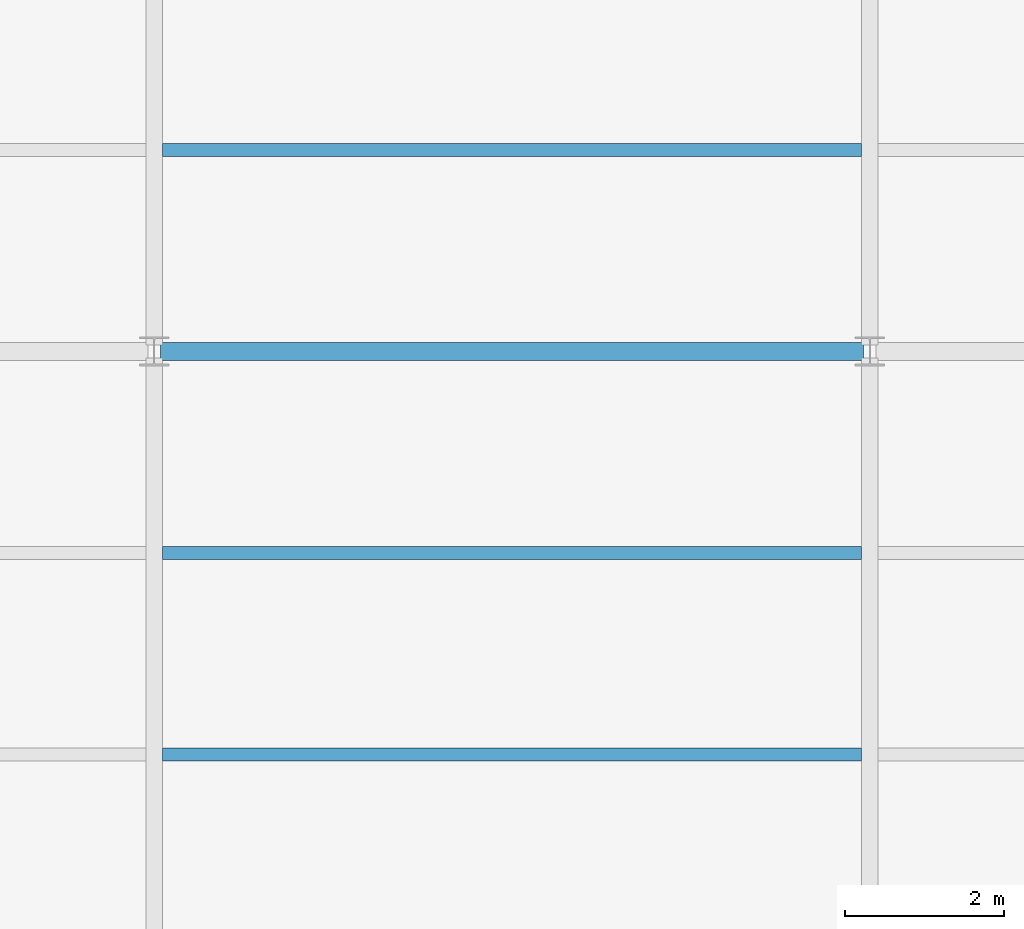
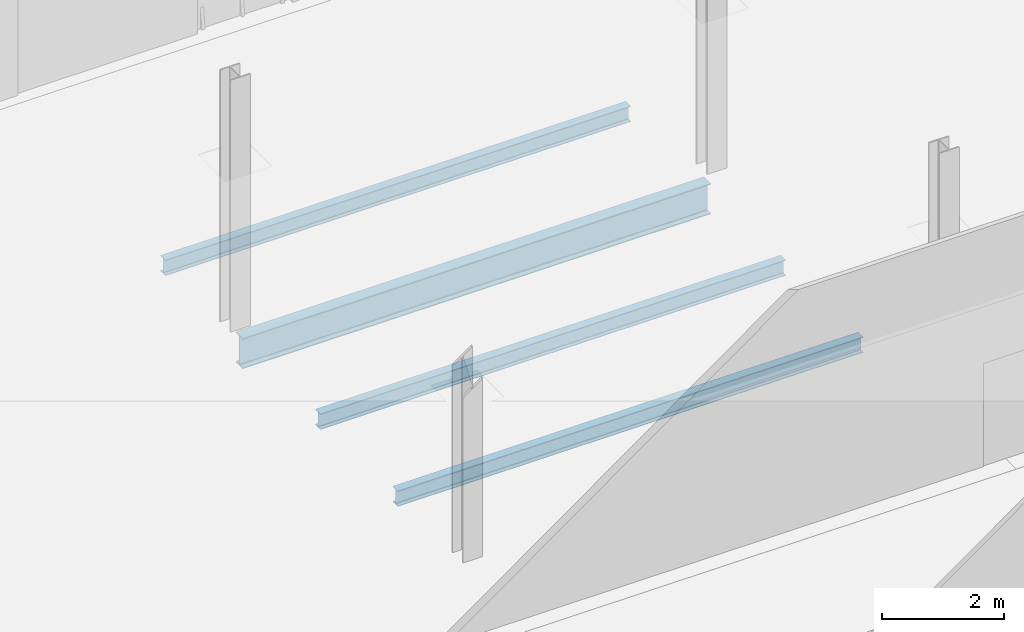
# One storey, part 43 of 161: 4 beams.
"""IFC4 building model written with IfcOpenShell, lengths in metres."""

import ifcopenshell
import ifcopenshell.guid

model = None  # the IFC model being written
_history = None  # IfcOwnerHistory: only IFC2X3 demands one
_inside = {}  # id of a spatial element -> (the spatial element, [elements in it])
_under = {}  # id of a project, library or spatial element -> (it, [spatial elements below it])
_declared = {}  # id of a project -> (the project, [libraries it declares])
_typed = {}  # id of a type object -> (the type object, [elements of that type])
_made_of = {}  # id of a material, layer set ... -> (it, [elements and type objects made of it])


def new_model(schema):
    """Start an empty IFC model of exactly this schema.

    Asked for "IFC4X3", IfcOpenShell would pick the latest addendum, in which some entities
    have other attributes; the version numbers below select the first issue.
    IFC2X3 requires an IfcOwnerHistory on every rooted entity: one is made here for all.
    """
    global model, _history
    if schema == "IFC4X3":
        model = ifcopenshell.file(schema_version=(4, 3, 0, 0))
    else:
        model = ifcopenshell.file(schema=schema)
    _inside.clear()
    _under.clear()
    _declared.clear()
    _typed.clear()
    _made_of.clear()
    _history = None
    if model.schema == "IFC2X3":
        org = make("IfcOrganization", Name="unknown")
        user = make(
            "IfcPersonAndOrganization",
            ThePerson=make("IfcPerson", FamilyName="unknown"),
            TheOrganization=org,
        )
        app = make(
            "IfcApplication",
            ApplicationDeveloper=org,
            Version="unknown",
            ApplicationFullName="unknown",
            ApplicationIdentifier="unknown",
        )
        _history = make(
            "IfcOwnerHistory",
            OwningUser=user,
            OwningApplication=app,
            ChangeAction="ADDED",
            CreationDate=0,
        )
    return model


def make(cls, **values):
    """One entity of the class cls with the attributes given. An attribute that is None is left unset."""
    return model.create_entity(
        cls, **{name: value for name, value in values.items() if value is not None}
    )


def rooted(cls, **values):
    """An entity with a GlobalId (a new one), such as an element, a storey or a relation."""
    return make(cls, GlobalId=ifcopenshell.guid.new(), OwnerHistory=_history, **values)


def si_unit(unit_type, name, prefix=None):
    """IfcSIUnit, for example si_unit("LENGTHUNIT", "METRE", prefix="MILLI")."""
    return make("IfcSIUnit", UnitType=unit_type, Prefix=prefix, Name=name)


def assignment(units):
    """IfcUnitAssignment: the units of a project."""
    return None if units is None else make("IfcUnitAssignment", Units=units)


def point(xyz):
    """IfcCartesianPoint."""
    return None if xyz is None else make("IfcCartesianPoint", Coordinates=xyz)


def direction(xyz):
    """IfcDirection."""
    return None if xyz is None else make("IfcDirection", DirectionRatios=xyz)


def frame(location, z_axis=None, x_axis=None):
    """IfcAxis2Placement3D, a coordinate frame: its origin and axes. An axis left out is left unset."""
    return make(
        "IfcAxis2Placement3D",
        Location=point(location),
        Axis=direction(z_axis),
        RefDirection=direction(x_axis),
    )


def frame_2d(location, x_axis=None):
    """IfcAxis2Placement2D, a coordinate frame in the plane: its origin and x axis."""
    return make(
        "IfcAxis2Placement2D", Location=point(location), RefDirection=direction(x_axis)
    )


def origin():
    """The frame at (0, 0, 0) with its axes left unset."""
    return frame((0.0, 0.0, 0.0))


def origin_2d():
    """The frame at (0, 0) in the plane with its x axis left unset."""
    return frame_2d((0.0, 0.0))


def place(relative_to, where):
    """IfcLocalPlacement: puts the frame where relative to a parent placement (None: the world)."""
    return make(
        "IfcLocalPlacement", PlacementRelTo=relative_to, RelativePlacement=where
    )


def context(
    kind, dimensions, precision=None, world=None, true_north=None, identifier=None
):
    """IfcGeometricRepresentationContext, for example the 3D "Model" context."""
    return make(
        "IfcGeometricRepresentationContext",
        ContextIdentifier=identifier,
        ContextType=kind,
        CoordinateSpaceDimension=dimensions,
        Precision=precision,
        WorldCoordinateSystem=world,
        TrueNorth=true_north,
    )


def subcontext(parent, identifier, kind, view, scale=None):
    """IfcGeometricRepresentationSubContext, for example "Body" below "Model"."""
    return make(
        "IfcGeometricRepresentationSubContext",
        ContextIdentifier=identifier,
        ContextType=kind,
        ParentContext=parent,
        TargetScale=scale,
        TargetView=view,
    )


def project(units=None, contexts=None):
    """IfcProject with its units and contexts."""
    return rooted(
        "IfcProject",
        Name="project",
        RepresentationContexts=contexts,
        UnitsInContext=assignment(units),
    )


def spatial(cls, under=None, at=None, **own):
    """A site, building, storey or space (cls), placed at a placement, below another one or the project."""
    s = rooted(cls, ObjectPlacement=at, **own)
    if under is not None:
        _under.setdefault(under.id(), (under, []))[1].append(s)
    return s


def profile(cls, at=None, kind="AREA", **sizes):
    """A parametric profile (cls). Its sizes go by their IFC names, for example OverallWidth=200.0."""
    return make(cls, ProfileType=kind, Position=at, **sizes)


def i_section(**sizes):
    """IfcIShapeProfileDef."""
    return profile("IfcIShapeProfileDef", **sizes)


def extrude(swept, where, along, depth):
    """IfcExtrudedAreaSolid: the profile swept, set in the frame where, extruded along a direction by depth."""
    return make(
        "IfcExtrudedAreaSolid",
        SweptArea=swept,
        Position=where,
        ExtrudedDirection=direction(along),
        Depth=depth,
    )


def shape(context_of_items, identifier, shape_type, items):
    """IfcShapeRepresentation: the items that make up one representation, for example the "Body"."""
    return make(
        "IfcShapeRepresentation",
        ContextOfItems=context_of_items,
        RepresentationIdentifier=identifier,
        RepresentationType=shape_type,
        Items=items,
    )


def material(Name=None, Category=None):
    """IfcMaterial."""
    return make("IfcMaterial", Name=Name, Category=Category)


def material_profile(
    of_material, cross_section, Name=None, Category=None, Priority=None
):
    """IfcMaterialProfile: a cross section and its material."""
    return make(
        "IfcMaterialProfile",
        Name=Name,
        Material=of_material,
        Profile=cross_section,
        Priority=Priority,
        Category=Category,
    )


def profile_set(profiles, Name=None, composite=None):
    """IfcMaterialProfileSet."""
    return make(
        "IfcMaterialProfileSet",
        Name=Name,
        MaterialProfiles=profiles,
        CompositeProfile=composite,
    )


def made_of(thing, what):
    """Note that an element or type object is made of a material, layer set ...; save() writes the relation."""
    if what is not None:
        _made_of.setdefault(what.id(), (what, []))[1].append(thing)
    return thing


def type_object(cls, material=None, **own):
    """A type object (cls), such as IfcWallType, which elements share."""
    return made_of(rooted(cls, **own), material)


def element(
    cls,
    number,
    at=None,
    inside=None,
    cuts=None,
    type_object=None,
    material=None,
    context=None,
    identifier="Body",
    shape_type=None,
    held_by="IfcProductDefinitionShape",
    body=None,
    shapes=None,
    **own,
):
    """One element of the class cls, such as IfcWall. Its Tag is "e" and its number.

    at: its placement. inside: the storey or other place that contains it. cuts: it is an
    opening in that element (IfcRelVoidsElement). A single representation is given by context,
    identifier, shape_type and body (its items); several are given by shapes. held_by: the class
    of the entity that holds the representations. save() writes the other relations.
    """
    e = rooted(cls, Tag="e%d" % number, ObjectPlacement=at, **own)
    if body is not None:
        shapes = [shape(context, identifier, shape_type, body)]
    if shapes is not None:
        e.Representation = make(held_by, Representations=shapes)
    if inside is not None:
        _inside.setdefault(inside.id(), (inside, []))[1].append(e)
    if cuts is not None:
        rooted(
            "IfcRelVoidsElement", RelatingBuildingElement=cuts, RelatedOpeningElement=e
        )
    if type_object is not None:
        _typed.setdefault(type_object.id(), (type_object, []))[1].append(e)
    return made_of(e, material)


def aggregate(whole, parts):
    """IfcRelAggregates: a whole, such as a stair, and the parts it consists of."""
    return rooted("IfcRelAggregates", RelatingObject=whole, RelatedObjects=parts)


def save(model, path):
    """Write the relations noted so far, then the file.

    IfcRelAggregates (storeys below a building ...), IfcRelContainedInSpatialStructure (elements
    in a storey), IfcRelDefinesByType, IfcRelAssociatesMaterial and IfcRelDeclares: one each for
    every whole, place, type object, material and project.
    """
    for whole, parts in _under.values():
        aggregate(whole, parts)
    for where, things in _inside.values():
        rooted(
            "IfcRelContainedInSpatialStructure",
            RelatedElements=things,
            RelatingStructure=where,
        )
    for kind, things in _typed.values():
        rooted("IfcRelDefinesByType", RelatedObjects=things, RelatingType=kind)
    for what, things in _made_of.values():
        rooted("IfcRelAssociatesMaterial", RelatedObjects=things, RelatingMaterial=what)
    for by, libraries in _declared.values():
        rooted("IfcRelDeclares", RelatingContext=by, RelatedDefinitions=libraries)
    model.write(path)


model = new_model("IFC4")

# Units and contexts
model_context = context("Model", 3, precision=1e-05, world=origin(), true_north=direction((0.0, 1.0)))
body_context = subcontext(model_context, "Body", "Model", "MODEL_VIEW")
ifc_project = project(units=[si_unit("LENGTHUNIT", "METRE"), si_unit("AREAUNIT", "SQUARE_METRE"), si_unit("VOLUMEUNIT", "CUBIC_METRE"), si_unit("PLANEANGLEUNIT", "RADIAN"), si_unit("MASSUNIT", "GRAM", prefix="KILO")], contexts=[model_context])

# Site, building, storey
site_placement = place(None, origin())
site = spatial("IfcSite", under=ifc_project, at=site_placement, CompositionType="ELEMENT")
building_placement = place(site_placement, origin())
building = spatial("IfcBuilding", under=site, at=building_placement, Name="Caisbarro Railhouse Central Library", CompositionType="ELEMENT")
storey_placement = place(building_placement, origin())
storey = spatial("IfcBuildingStorey", under=building, at=storey_placement, Name="L00", CompositionType="ELEMENT", Elevation=0.0)

# Beams
ifc_material = material(Name="Steel ASTM A572 Grade 50", Category="steel")
ifc_material_profile_1 = material_profile(ifc_material, i_section(OverallWidth=0.22802734375, OverallDepth=0.60791015625, WebThickness=0.01123046875, FlangeThickness=0.017333984375, FilletRadius=0.02197265625, at=origin_2d()), Name="W610X113.0")
ifc_profile_set_1 = profile_set([ifc_material_profile_1], Name="Steel ASTM A572 Grade 50")
beam_type_1 = type_object("IfcBeamType", Name="BM-G04", PredefinedType="BEAM", material=ifc_profile_set_1)
beam_placement = place(storey_placement, frame((9.080078125, 53.199951171875, -0.553955078125), z_axis=(1.0, 0.0, 0.0), x_axis=(0.0, 1.0, 0.0)))
element("IfcBeam", 1, at=beam_placement, inside=storey, type_object=beam_type_1, Name="G04 beam L00 #268", PredefinedType="BEAM", context=body_context, shape_type="SweptSolid", body=[
    extrude(i_section(OverallWidth=0.22802734375, OverallDepth=0.60791015625, WebThickness=0.01123046875, FlangeThickness=0.017333984375, FilletRadius=0.02197265625, at=origin_2d()), origin(), (0.0, 0.0, 1.0), 8.83984375),
])
ifc_material_profile_2 = material_profile(ifc_material, i_section(OverallWidth=0.1650390625, OverallDepth=0.31005859375, WebThickness=0.005859375, FlangeThickness=0.009765625, FilletRadius=0.011962890625, at=origin_2d()), Name="W310X38.7")
ifc_profile_set_2 = profile_set([ifc_material_profile_2], Name="Steel ASTM A572 Grade 50")
beam_type_2 = type_object("IfcBeamType", Name="BM-J03", PredefinedType="JOIST", material=ifc_profile_set_2)
for number, where, z_axis, x_axis, name in (
    (2, (9.1044921875, 48.13330078125, -0.405029296875), (1.0, 0.0, 0.0), (0.0, 1.0, 0.0), "J03 beam L00 #331"),
    (3, (9.1044921875, 50.666748046875, -0.405029296875), (1.0, 0.0, 0.0), (0.0, 1.0, 0.0), "J03 beam L00 #332"),
    (4, (9.1044921875, 55.7333984375, -0.405029296875), (1.0, 0.0, 0.0), (0.0, 1.0, 0.0), "J03 beam L00 #333"),
):
    element("IfcBeam", number, at=place(storey_placement, frame(where, z_axis=z_axis, x_axis=x_axis)), inside=storey, type_object=beam_type_2, Name=name, PredefinedType="JOIST", context=body_context, shape_type="SweptSolid", body=[
        extrude(i_section(OverallWidth=0.1650390625, OverallDepth=0.31005859375, WebThickness=0.005859375, FlangeThickness=0.009765625, FilletRadius=0.011962890625, at=origin_2d()), origin(), (0.0, 0.0, 1.0), 8.791015625),
    ])

save(model, "model.ifc")
